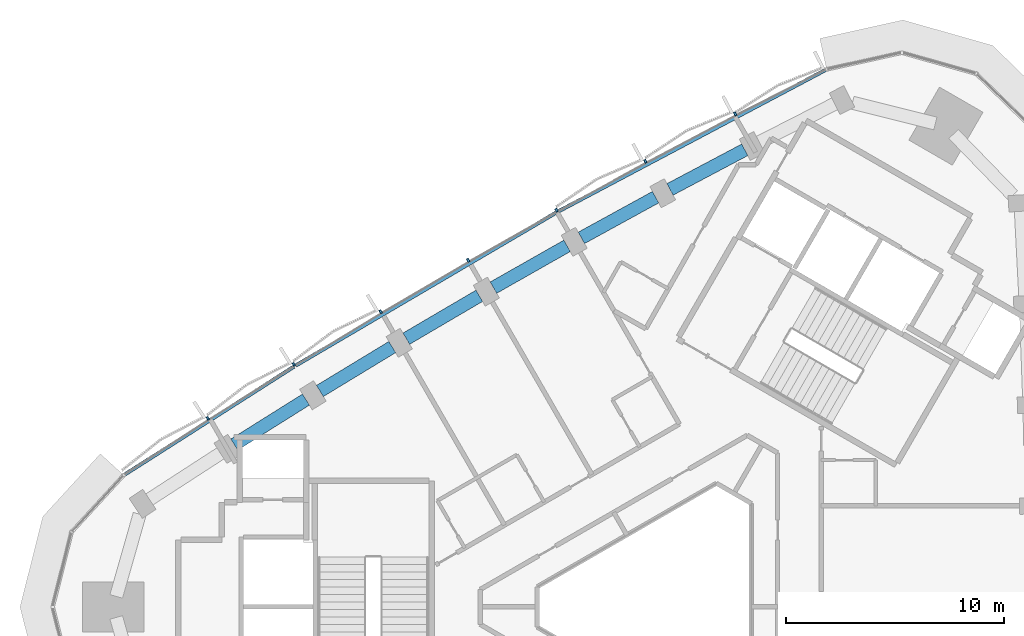
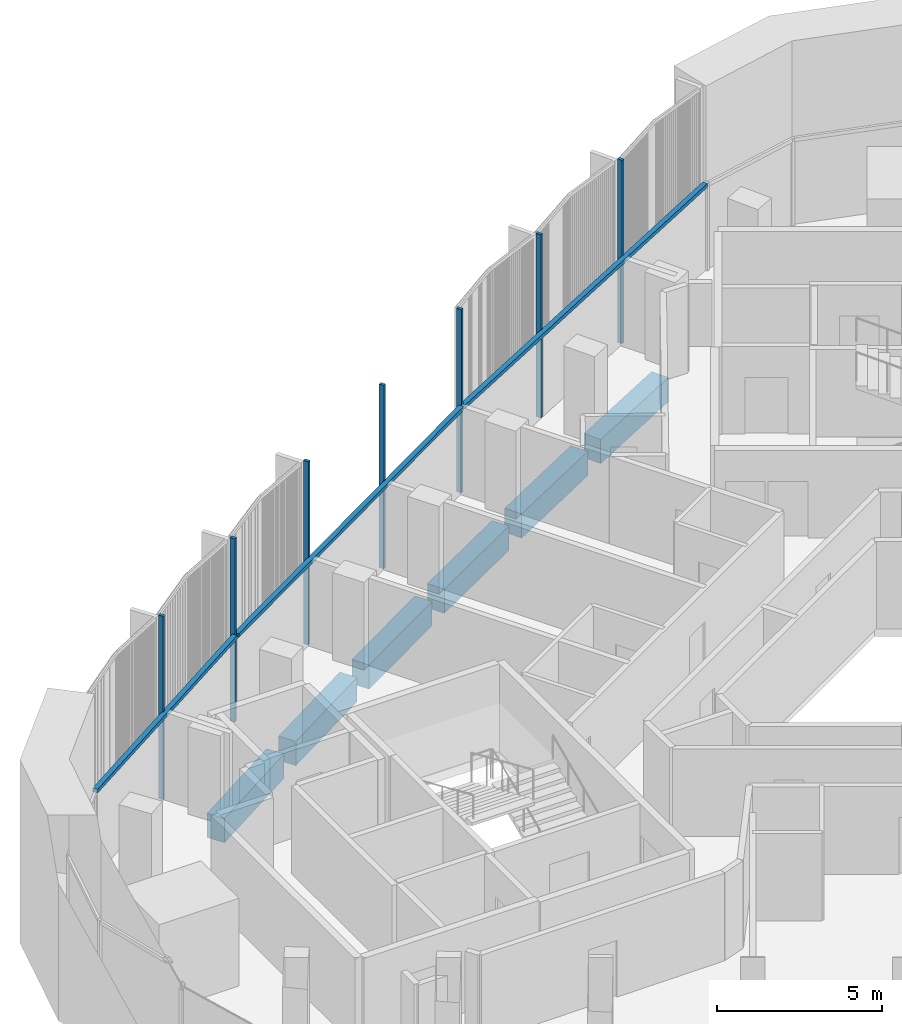
# One storey, part 5 of 14: 10 members, 6 beams, 1 element without a shape of its own.
"""IFC4 building model written with IfcOpenShell, lengths in metres."""

from ifc_helpers import new_model, si_unit, direction, frame, origin, origin_2d, place, context, subcontext, project, spatial, rectangle, extrude, material, material_profile, profile_set, type_object, element, aggregate, save


model = new_model("IFC4")

# Units and contexts
model_context = context("Model", 3, precision=1e-05, world=origin(), true_north=direction((0.0, 1.0)))
body_context = subcontext(model_context, "Body", "Model", "MODEL_VIEW")
ifc_project = project(units=[si_unit("LENGTHUNIT", "METRE"), si_unit("AREAUNIT", "SQUARE_METRE"), si_unit("VOLUMEUNIT", "CUBIC_METRE"), si_unit("PLANEANGLEUNIT", "RADIAN"), si_unit("MASSUNIT", "GRAM", prefix="KILO")], contexts=[model_context])

# Site, building, storey
site_placement = place(None, origin())
site = spatial("IfcSite", under=ifc_project, at=site_placement, CompositionType="ELEMENT")
building_placement = place(site_placement, origin())
building = spatial("IfcBuilding", under=site, at=building_placement, Name="Tamra Quay Hotel Tower", CompositionType="ELEMENT")
storey_placement = place(building_placement, frame((0.0, 0.0, 250.199951171875)))
storey = spatial("IfcBuildingStorey", under=building, at=storey_placement, Name="L63", CompositionType="ELEMENT", Elevation=250.199951171875)

# Curtain wall, members
ifc_material_1 = material(Name="Aluminium 6063 anodised dark grey", Category="aluminium")
curtain_wall_type = type_object("IfcCurtainWallType", Name="CW2 CURTAIN WALL", PredefinedType="NOTDEFINED", material=ifc_material_1)
curtain_wall_placement = place(storey_placement, origin())
curtain_wall = element("IfcCurtainWall", 1, at=curtain_wall_placement, inside=storey, type_object=curtain_wall_type, Name="CW2 north-west face L63", PredefinedType="NOTDEFINED")
ifc_material_profile_1 = material_profile(ifc_material_1, rectangle(XDim=0.169921875, YDim=0.10009765625, at=origin_2d()), Name="MULLION 100X170")
ifc_profile_set_1 = profile_set([ifc_material_profile_1], Name="Aluminium 6063 anodised dark grey")
member_type_1 = type_object("IfcMemberType", Name="MULLION CW2 Z5", PredefinedType="MULLION", material=ifc_profile_set_1)
member_1_placement = place(storey_placement, frame((3.06591796875, 22.57861328125, 0.0), z_axis=(0.0, 0.0, 1.0), x_axis=(-0.461343866689, 0.887221413554, 0.0)))
member_1 = element("IfcMember", 2, at=member_1_placement, type_object=member_type_1, Name="CW2 mullion L63.NW.2", PredefinedType="MULLION", context=body_context, shape_type="SweptSolid", body=[
    extrude(rectangle(XDim=0.169921875, YDim=0.10009765625, at=origin_2d()), origin(), (0.0, 0.0, 1.0), 6.800048828125),
])
member_2_placement = place(storey_placement, frame((-1.043701171875, 20.4033203125, 0.0), z_axis=(0.0, 0.0, 1.0), x_axis=(-0.474318697742, 0.880353209213, 0.0)))
member_2 = element("IfcMember", 3, at=member_2_placement, type_object=member_type_1, Name="CW2 mullion L63.NW.3", PredefinedType="MULLION", context=body_context, shape_type="SweptSolid", body=[
    extrude(rectangle(XDim=0.169921875, YDim=0.10009765625, at=origin_2d()), origin(), (0.0, 0.0, 1.0), 6.800048828125),
])
member_3_placement = place(storey_placement, frame((-5.1201171875, 18.168212890625, 0.0), z_axis=(0.0, 0.0, 1.0), x_axis=(-0.487204268935, 0.873288039728, 0.0)))
member_3 = element("IfcMember", 4, at=member_3_placement, type_object=member_type_1, Name="CW2 mullion L63.NW.4", PredefinedType="MULLION", context=body_context, shape_type="SweptSolid", body=[
    extrude(rectangle(XDim=0.169921875, YDim=0.10009765625, at=origin_2d()), origin(), (0.0, 0.0, 1.0), 6.800048828125),
])
member_4_placement = place(storey_placement, frame((-9.1640625, 15.872802734375, 0.0), z_axis=(0.0, 0.0, 1.0), x_axis=(-0.5, 0.866025403784, 0.0)))
member_4 = element("IfcMember", 5, at=member_4_placement, type_object=member_type_1, Name="CW2 mullion L63.NW.5", PredefinedType="MULLION", context=body_context, shape_type="SweptSolid", body=[
    extrude(rectangle(XDim=0.169921875, YDim=0.10009765625, at=origin_2d()), origin(), (0.0, 0.0, 1.0), 6.800048828125),
])
member_5_placement = place(storey_placement, frame((-13.173828125, 13.518310546875, 0.0), z_axis=(0.0, 0.0, 1.0), x_axis=(-0.512687492758, 0.858575293594, 0.0)))
member_5 = element("IfcMember", 6, at=member_5_placement, type_object=member_type_1, Name="CW2 mullion L63.NW.6", PredefinedType="MULLION", context=body_context, shape_type="SweptSolid", body=[
    extrude(rectangle(XDim=0.169921875, YDim=0.10009765625, at=origin_2d()), origin(), (0.0, 0.0, 1.0), 6.800048828125),
])
member_6_placement = place(storey_placement, frame((-17.14794921875, 11.10546875, 0.0), z_axis=(0.0, 0.0, 1.0), x_axis=(-0.525248894611, 0.850948646341, 0.0)))
member_6 = element("IfcMember", 7, at=member_6_placement, type_object=member_type_1, Name="CW2 mullion L63.NW.7", PredefinedType="MULLION", context=body_context, shape_type="SweptSolid", body=[
    extrude(rectangle(XDim=0.169921875, YDim=0.10009765625, at=origin_2d()), origin(), (0.0, 0.0, 1.0), 6.800048828125),
])
member_7_placement = place(storey_placement, frame((-21.086669921875, 8.634033203125, 0.0), z_axis=(0.0, 0.0, 1.0), x_axis=(-0.537684349575, 0.84314621521, 0.0)))
member_7 = element("IfcMember", 8, at=member_7_placement, type_object=member_type_1, Name="CW2 mullion L63.NW.8", PredefinedType="MULLION", context=body_context, shape_type="SweptSolid", body=[
    extrude(rectangle(XDim=0.169921875, YDim=0.10009765625, at=origin_2d()), origin(), (0.0, 0.0, 1.0), 6.800048828125),
])

# Beams
ifc_material_2 = material(Name="Concrete M60", Category="concrete")
ifc_material_profile_2 = material_profile(ifc_material_2, rectangle(XDim=0.60009765625, YDim=0.89990234375, at=origin_2d()), Name="SPANDREL BEAM RC 600x900")
ifc_profile_set_2 = profile_set([ifc_material_profile_2], Name="Concrete M60")
beam_type = type_object("IfcBeamType", Name="SPANDREL BEAM RC 600x900", PredefinedType="SPANDREL", material=ifc_profile_set_2)
beam_1_placement = place(storey_placement, frame((3.5, 20.931396484375, -0.800048828125), z_axis=(-0.883803240878, -0.467858772937, 0.0), x_axis=(0.467858772937, -0.883803240878, 0.0)))
element("IfcBeam", 9, at=beam_1_placement, inside=storey, type_object=beam_type, Name="BM-SP5-011-L63", PredefinedType="SPANDREL", context=body_context, shape_type="SweptSolid", body=[
    extrude(rectangle(XDim=0.60009765625, YDim=0.89990234375, at=origin_2d()), origin(), (0.0, 0.0, 1.0), 3.875),
])
beam_2_placement = place(storey_placement, frame((-0.585205078125, 18.7626953125, -0.800048828125), z_axis=(-0.876838966376, -0.480784179279, 0.0), x_axis=(0.480784179279, -0.876838966376, 0.0)))
element("IfcBeam", 10, at=beam_2_placement, inside=storey, type_object=beam_type, Name="BM-SP5-012-L63", PredefinedType="SPANDREL", context=body_context, shape_type="SweptSolid", body=[
    extrude(rectangle(XDim=0.60009765625, YDim=0.89990234375, at=origin_2d()), origin(), (0.0, 0.0, 1.0), 3.87548828125),
])
beam_3_placement = place(storey_placement, frame((-4.638427734375, 16.533935546875, -0.800048828125), z_axis=(-0.86967787455, -0.493619686113, 0.0), x_axis=(0.493619686113, -0.86967787455, 0.0)))
element("IfcBeam", 11, at=beam_3_placement, inside=storey, type_object=beam_type, Name="BM-SP5-013-L63", PredefinedType="SPANDREL", context=body_context, shape_type="SweptSolid", body=[
    extrude(rectangle(XDim=0.60009765625, YDim=0.89990234375, at=origin_2d()), origin(), (0.0, 0.0, 1.0), 3.875244140625),
])
beam_4_placement = place(storey_placement, frame((-8.658203125, 14.24609375, -0.800048828125), z_axis=(-0.862324287816, -0.506356418585, 0.0), x_axis=(0.506356418585, -0.862324287816, 0.0)))
element("IfcBeam", 12, at=beam_4_placement, inside=storey, type_object=beam_type, Name="BM-SP5-014-L63", PredefinedType="SPANDREL", context=body_context, shape_type="SweptSolid", body=[
    extrude(rectangle(XDim=0.60009765625, YDim=0.89990234375, at=origin_2d()), origin(), (0.0, 0.0, 1.0), 3.875),
])
beam_5_placement = place(storey_placement, frame((-12.6435546875, 11.8994140625, -0.800048828125), z_axis=(-0.854785519234, -0.518981421737, 0.0), x_axis=(0.518981421737, -0.854785519234, 0.0)))
element("IfcBeam", 13, at=beam_5_placement, inside=storey, type_object=beam_type, Name="BM-SP5-015-L63", PredefinedType="SPANDREL", context=body_context, shape_type="SweptSolid", body=[
    extrude(rectangle(XDim=0.60009765625, YDim=0.89990234375, at=origin_2d()), origin(), (0.0, 0.0, 1.0), 3.875732421875),
])
beam_6_placement = place(storey_placement, frame((-16.5947265625, 9.494140625, -0.800048828125), z_axis=(-0.847066119134, -0.53148752555, 0.0), x_axis=(0.53148752555, -0.847066119134, 0.0)))
element("IfcBeam", 14, at=beam_6_placement, inside=storey, type_object=beam_type, Name="BM-SP5-016-L63", PredefinedType="SPANDREL", context=body_context, shape_type="SweptSolid", body=[
    extrude(rectangle(XDim=0.60009765625, YDim=0.89990234375, at=origin_2d()), origin(), (0.0, 0.0, 1.0), 3.875),
])

# Member
ifc_material_profile_3 = material_profile(ifc_material_1, rectangle(XDim=0.169921875, YDim=0.139892578125, at=origin_2d()), Name="TRANSOM 170X140")
ifc_profile_set_3 = profile_set([ifc_material_profile_3], Name="Aluminium 6063 anodised dark grey")
member_type_2 = type_object("IfcMemberType", Name="TRANSOM CW2 Z5", PredefinedType="USERDEFINED", material=ifc_profile_set_3)
member_8_placement = place(storey_placement, frame((7.2001953125, 24.5947265625, 3.179931640625), z_axis=(-0.883805932558, -0.467853688214, 0.0), x_axis=(0.467853688214, -0.883805932558, 0.0)))
member_8 = element("IfcMember", 15, at=member_8_placement, type_object=member_type_2, Name="CW2 transom L63.NW.1", ObjectType="TRANSOM", PredefinedType="USERDEFINED", context=body_context, shape_type="SweptSolid", body=[
    extrude(rectangle(XDim=0.169921875, YDim=0.139892578125, at=origin_2d()), origin(), (0.0, 0.0, 1.0), 13.84375),
])

member_9_placement = place(storey_placement, frame((-5.122314453125, 18.069091796875, 3.179931640625), z_axis=(-0.862327906366, -0.50635025615, 0.0), x_axis=(0.50635025615, -0.862327906366, 0.0)))
member_9 = element("IfcMember", 16, at=member_9_placement, type_object=member_type_2, Name="CW2 transom L63.NW.4", ObjectType="TRANSOM", PredefinedType="USERDEFINED", context=body_context, shape_type="SweptSolid", body=[
    extrude(rectangle(XDim=0.169921875, YDim=0.139892578125, at=origin_2d()), origin(), (0.0, 0.0, 1.0), 13.84423828125),
])

member_10_placement = place(storey_placement, frame((-17.1455078125, 11.006591796875, 3.179931640625), z_axis=(-0.843150628399, -0.537677429162, 0.0), x_axis=(0.537677429162, -0.843150628399, 0.0)))
member_10 = element("IfcMember", 17, at=member_10_placement, type_object=member_type_2, Name="CW2 transom L63.NW.7", ObjectType="TRANSOM", PredefinedType="USERDEFINED", context=body_context, shape_type="SweptSolid", body=[
    extrude(rectangle(XDim=0.169921875, YDim=0.139892578125, at=origin_2d()), origin(), (0.0, 0.0, 1.0), 9.196533203125),
])

aggregate(curtain_wall, [member_8, member_1, member_2, member_3, member_9, member_4, member_5, member_6, member_10, member_7])

save(model, "model.ifc")
